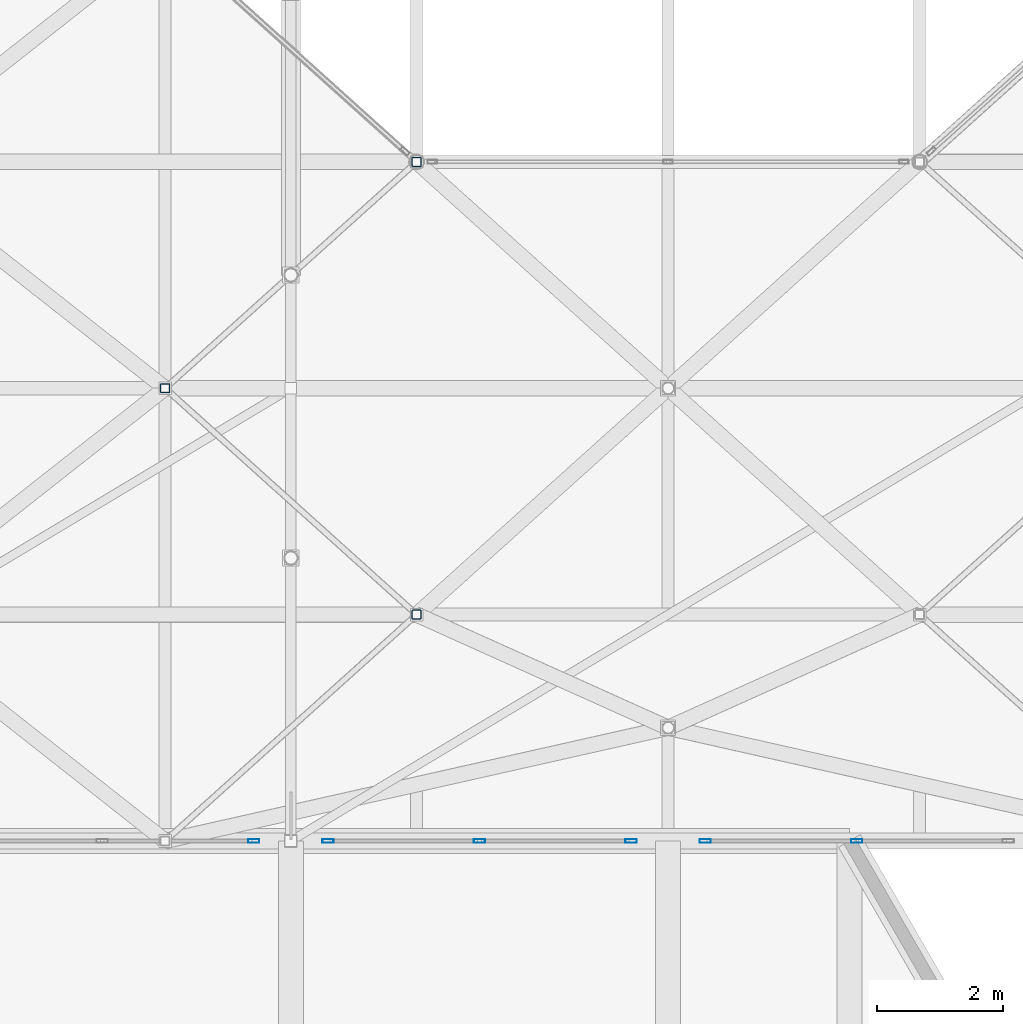
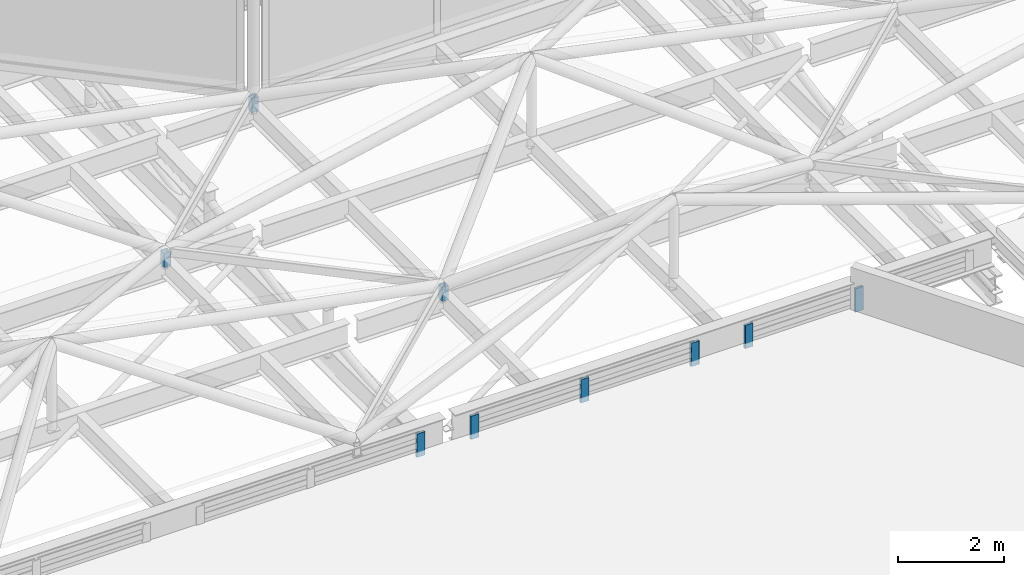
# One storey, part 190 of 239: 9 members, 3 elements without a shape of their own.
"""IFC4 building model written with IfcOpenShell, lengths in metres."""

import ifcopenshell
import ifcopenshell.guid

model = None  # the IFC model being written
_history = None  # IfcOwnerHistory: only IFC2X3 demands one
_inside = {}  # id of a spatial element -> (the spatial element, [elements in it])
_under = {}  # id of a project, library or spatial element -> (it, [spatial elements below it])
_declared = {}  # id of a project -> (the project, [libraries it declares])
_typed = {}  # id of a type object -> (the type object, [elements of that type])
_made_of = {}  # id of a material, layer set ... -> (it, [elements and type objects made of it])


def new_model(schema):
    """Start an empty IFC model of exactly this schema.

    Asked for "IFC4X3", IfcOpenShell would pick the latest addendum, in which some entities
    have other attributes; the version numbers below select the first issue.
    IFC2X3 requires an IfcOwnerHistory on every rooted entity: one is made here for all.
    """
    global model, _history
    if schema == "IFC4X3":
        model = ifcopenshell.file(schema_version=(4, 3, 0, 0))
    else:
        model = ifcopenshell.file(schema=schema)
    _inside.clear()
    _under.clear()
    _declared.clear()
    _typed.clear()
    _made_of.clear()
    _history = None
    if model.schema == "IFC2X3":
        org = make("IfcOrganization", Name="unknown")
        user = make(
            "IfcPersonAndOrganization",
            ThePerson=make("IfcPerson", FamilyName="unknown"),
            TheOrganization=org,
        )
        app = make(
            "IfcApplication",
            ApplicationDeveloper=org,
            Version="unknown",
            ApplicationFullName="unknown",
            ApplicationIdentifier="unknown",
        )
        _history = make(
            "IfcOwnerHistory",
            OwningUser=user,
            OwningApplication=app,
            ChangeAction="ADDED",
            CreationDate=0,
        )
    return model


def make(cls, **values):
    """One entity of the class cls with the attributes given. An attribute that is None is left unset."""
    return model.create_entity(
        cls, **{name: value for name, value in values.items() if value is not None}
    )


def rooted(cls, **values):
    """An entity with a GlobalId (a new one), such as an element, a storey or a relation."""
    return make(cls, GlobalId=ifcopenshell.guid.new(), OwnerHistory=_history, **values)


def si_unit(unit_type, name, prefix=None):
    """IfcSIUnit, for example si_unit("LENGTHUNIT", "METRE", prefix="MILLI")."""
    return make("IfcSIUnit", UnitType=unit_type, Prefix=prefix, Name=name)


def assignment(units):
    """IfcUnitAssignment: the units of a project."""
    return None if units is None else make("IfcUnitAssignment", Units=units)


def point(xyz):
    """IfcCartesianPoint."""
    return None if xyz is None else make("IfcCartesianPoint", Coordinates=xyz)


def direction(xyz):
    """IfcDirection."""
    return None if xyz is None else make("IfcDirection", DirectionRatios=xyz)


def frame(location, z_axis=None, x_axis=None):
    """IfcAxis2Placement3D, a coordinate frame: its origin and axes. An axis left out is left unset."""
    return make(
        "IfcAxis2Placement3D",
        Location=point(location),
        Axis=direction(z_axis),
        RefDirection=direction(x_axis),
    )


def frame_2d(location, x_axis=None):
    """IfcAxis2Placement2D, a coordinate frame in the plane: its origin and x axis."""
    return make(
        "IfcAxis2Placement2D", Location=point(location), RefDirection=direction(x_axis)
    )


def origin():
    """The frame at (0, 0, 0) with its axes left unset."""
    return frame((0.0, 0.0, 0.0))


def origin_2d():
    """The frame at (0, 0) in the plane with its x axis left unset."""
    return frame_2d((0.0, 0.0))


def place(relative_to, where):
    """IfcLocalPlacement: puts the frame where relative to a parent placement (None: the world)."""
    return make(
        "IfcLocalPlacement", PlacementRelTo=relative_to, RelativePlacement=where
    )


def context(
    kind, dimensions, precision=None, world=None, true_north=None, identifier=None
):
    """IfcGeometricRepresentationContext, for example the 3D "Model" context."""
    return make(
        "IfcGeometricRepresentationContext",
        ContextIdentifier=identifier,
        ContextType=kind,
        CoordinateSpaceDimension=dimensions,
        Precision=precision,
        WorldCoordinateSystem=world,
        TrueNorth=true_north,
    )


def subcontext(parent, identifier, kind, view, scale=None):
    """IfcGeometricRepresentationSubContext, for example "Body" below "Model"."""
    return make(
        "IfcGeometricRepresentationSubContext",
        ContextIdentifier=identifier,
        ContextType=kind,
        ParentContext=parent,
        TargetScale=scale,
        TargetView=view,
    )


def project(units=None, contexts=None):
    """IfcProject with its units and contexts."""
    return rooted(
        "IfcProject",
        Name="project",
        RepresentationContexts=contexts,
        UnitsInContext=assignment(units),
    )


def spatial(cls, under=None, at=None, **own):
    """A site, building, storey or space (cls), placed at a placement, below another one or the project."""
    s = rooted(cls, ObjectPlacement=at, **own)
    if under is not None:
        _under.setdefault(under.id(), (under, []))[1].append(s)
    return s


def profile(cls, at=None, kind="AREA", **sizes):
    """A parametric profile (cls). Its sizes go by their IFC names, for example OverallWidth=200.0."""
    return make(cls, ProfileType=kind, Position=at, **sizes)


def hollow_rectangle(**sizes):
    """IfcRectangleHollowProfileDef."""
    return profile("IfcRectangleHollowProfileDef", **sizes)


def extrude(swept, where, along, depth):
    """IfcExtrudedAreaSolid: the profile swept, set in the frame where, extruded along a direction by depth."""
    return make(
        "IfcExtrudedAreaSolid",
        SweptArea=swept,
        Position=where,
        ExtrudedDirection=direction(along),
        Depth=depth,
    )


def shape(context_of_items, identifier, shape_type, items):
    """IfcShapeRepresentation: the items that make up one representation, for example the "Body"."""
    return make(
        "IfcShapeRepresentation",
        ContextOfItems=context_of_items,
        RepresentationIdentifier=identifier,
        RepresentationType=shape_type,
        Items=items,
    )


def material(Name=None, Category=None):
    """IfcMaterial."""
    return make("IfcMaterial", Name=Name, Category=Category)


def layer(
    of_material, thickness, ventilated=None, Name=None, Category=None, Priority=None
):
    """IfcMaterialLayer: one layer of a wall or slab, of a material (None: an air gap)."""
    return make(
        "IfcMaterialLayer",
        Material=of_material,
        LayerThickness=thickness,
        IsVentilated=ventilated,
        Name=Name,
        Category=Category,
        Priority=Priority,
    )


def layer_set(layers, Name=None):
    """IfcMaterialLayerSet."""
    return make("IfcMaterialLayerSet", MaterialLayers=layers, LayerSetName=Name)


def material_profile(
    of_material, cross_section, Name=None, Category=None, Priority=None
):
    """IfcMaterialProfile: a cross section and its material."""
    return make(
        "IfcMaterialProfile",
        Name=Name,
        Material=of_material,
        Profile=cross_section,
        Priority=Priority,
        Category=Category,
    )


def profile_set(profiles, Name=None, composite=None):
    """IfcMaterialProfileSet."""
    return make(
        "IfcMaterialProfileSet",
        Name=Name,
        MaterialProfiles=profiles,
        CompositeProfile=composite,
    )


def made_of(thing, what):
    """Note that an element or type object is made of a material, layer set ...; save() writes the relation."""
    if what is not None:
        _made_of.setdefault(what.id(), (what, []))[1].append(thing)
    return thing


def type_object(cls, material=None, **own):
    """A type object (cls), such as IfcWallType, which elements share."""
    return made_of(rooted(cls, **own), material)


def element(
    cls,
    number,
    at=None,
    inside=None,
    cuts=None,
    type_object=None,
    material=None,
    context=None,
    identifier="Body",
    shape_type=None,
    held_by="IfcProductDefinitionShape",
    body=None,
    shapes=None,
    **own,
):
    """One element of the class cls, such as IfcWall. Its Tag is "e" and its number.

    at: its placement. inside: the storey or other place that contains it. cuts: it is an
    opening in that element (IfcRelVoidsElement). A single representation is given by context,
    identifier, shape_type and body (its items); several are given by shapes. held_by: the class
    of the entity that holds the representations. save() writes the other relations.
    """
    e = rooted(cls, Tag="e%d" % number, ObjectPlacement=at, **own)
    if body is not None:
        shapes = [shape(context, identifier, shape_type, body)]
    if shapes is not None:
        e.Representation = make(held_by, Representations=shapes)
    if inside is not None:
        _inside.setdefault(inside.id(), (inside, []))[1].append(e)
    if cuts is not None:
        rooted(
            "IfcRelVoidsElement", RelatingBuildingElement=cuts, RelatedOpeningElement=e
        )
    if type_object is not None:
        _typed.setdefault(type_object.id(), (type_object, []))[1].append(e)
    return made_of(e, material)


def aggregate(whole, parts):
    """IfcRelAggregates: a whole, such as a stair, and the parts it consists of."""
    return rooted("IfcRelAggregates", RelatingObject=whole, RelatedObjects=parts)


def save(model, path):
    """Write the relations noted so far, then the file.

    IfcRelAggregates (storeys below a building ...), IfcRelContainedInSpatialStructure (elements
    in a storey), IfcRelDefinesByType, IfcRelAssociatesMaterial and IfcRelDeclares: one each for
    every whole, place, type object, material and project.
    """
    for whole, parts in _under.values():
        aggregate(whole, parts)
    for where, things in _inside.values():
        rooted(
            "IfcRelContainedInSpatialStructure",
            RelatedElements=things,
            RelatingStructure=where,
        )
    for kind, things in _typed.values():
        rooted("IfcRelDefinesByType", RelatedObjects=things, RelatingType=kind)
    for what, things in _made_of.values():
        rooted("IfcRelAssociatesMaterial", RelatedObjects=things, RelatingMaterial=what)
    for by, libraries in _declared.values():
        rooted("IfcRelDeclares", RelatingContext=by, RelatedDefinitions=libraries)
    model.write(path)


model = new_model("IFC4")

# Units and contexts
model_context = context("Model", 3, precision=1e-05, world=origin(), true_north=direction((0.0, 1.0)))
body_context = subcontext(model_context, "Body", "Model", "MODEL_VIEW")
ifc_project = project(units=[si_unit("LENGTHUNIT", "METRE"), si_unit("AREAUNIT", "SQUARE_METRE"), si_unit("VOLUMEUNIT", "CUBIC_METRE"), si_unit("PLANEANGLEUNIT", "RADIAN"), si_unit("MASSUNIT", "GRAM", prefix="KILO")], contexts=[model_context])

# Site, building, storey
site_placement = place(None, origin())
site = spatial("IfcSite", under=ifc_project, at=site_placement, CompositionType="ELEMENT")
building_placement = place(site_placement, origin())
building = spatial("IfcBuilding", under=site, at=building_placement, Name="Dunvalen Ferry Terminal", CompositionType="ELEMENT")
storey_placement = place(building_placement, frame((0.0, 0.0, 9.840087890625)))
storey = spatial("IfcBuildingStorey", under=building, at=storey_placement, Name="L02", CompositionType="ELEMENT", Elevation=9.840087890625)

# Curtain wall, member
ifc_material_1 = material(Name="Anodised marine aluminium and solar-control glazing", Category="aluminium")
ifc_layer = layer(ifc_material_1, 0.219970703125, Name="Anodised marine aluminium and solar-control glazing")
ifc_layer_set = layer_set([ifc_layer], Name="Anodised marine aluminium and solar-control glazing")
curtain_wall_type = type_object("IfcCurtainWallType", Name="ENV-CW-SYS-02", PredefinedType="NOTDEFINED", material=ifc_layer_set)
curtain_wall_1_placement = place(storey_placement, origin())
curtain_wall_1 = element("IfcCurtainWall", 1, at=curtain_wall_1_placement, inside=storey, type_object=curtain_wall_type, Name="L02 Curtain Wall CW-V1SW-CLR-02", PredefinedType="NOTDEFINED")
ifc_material_2 = material(Name="Anodised marine aluminium EN AW-6063 T6", Category="aluminium")
ifc_material_profile_1 = material_profile(ifc_material_2, hollow_rectangle(XDim=0.06005859375, YDim=0.179931640625, WallThickness=0.00341796875, InnerFilletRadius=0.00341796875, OuterFilletRadius=0.007080078125, at=origin_2d()), Name="Anodised marine aluminium EN AW-6063 T6")
ifc_profile_set_1 = profile_set([ifc_material_profile_1], Name="Anodised marine aluminium EN AW-6063 T6")
member_type_1 = type_object("IfcMemberType", Name="ENV-CW-MUL-2", PredefinedType="MULLION", material=ifc_profile_set_1)
member_1_placement = place(storey_placement, frame((23.409912109375, 50.39990234375, 0.239990234375), z_axis=(0.0, 0.0, 1.0), x_axis=(0.0, 1.0, 0.0)))
member_1 = element("IfcMember", 2, at=member_1_placement, type_object=member_type_1, Name="CW-02 mullion 3", PredefinedType="MULLION", context=body_context, shape_type="SweptSolid", body=[
    extrude(hollow_rectangle(XDim=0.06005859375, YDim=0.179931640625, WallThickness=0.00341796875, InnerFilletRadius=0.00341796875, OuterFilletRadius=0.007080078125, at=origin_2d()), origin(), (0.0, 0.0, 1.0), 0.5400390625),
])
aggregate(curtain_wall_1, [member_1])

# Curtain wall, members
curtain_wall_2_placement = place(storey_placement, origin())
curtain_wall_2 = element("IfcCurtainWall", 3, at=curtain_wall_2_placement, inside=storey, type_object=curtain_wall_type, Name="L02 Curtain Wall CW-V1SW-CLR-03", PredefinedType="NOTDEFINED")
member_2_placement = place(storey_placement, frame((24.590087890625, 50.39990234375, 0.239990234375), z_axis=(0.0, 0.0, 1.0), x_axis=(0.0, 1.0, 0.0)))
member_2 = element("IfcMember", 4, at=member_2_placement, type_object=member_type_1, Name="CW-02 mullion 1", PredefinedType="MULLION", context=body_context, shape_type="SweptSolid", body=[
    extrude(hollow_rectangle(XDim=0.06005859375, YDim=0.179931640625, WallThickness=0.00341796875, InnerFilletRadius=0.00341796875, OuterFilletRadius=0.007080078125, at=origin_2d()), origin(), (0.0, 0.0, 1.0), 0.5400390625),
])
member_3_placement = place(storey_placement, frame((27.0, 50.39990234375, 0.239990234375), z_axis=(0.0, 0.0, 1.0), x_axis=(0.0, 1.0, 0.0)))
member_3 = element("IfcMember", 5, at=member_3_placement, type_object=member_type_1, Name="CW-02 mullion 2", PredefinedType="MULLION", context=body_context, shape_type="SweptSolid", body=[
    extrude(hollow_rectangle(XDim=0.06005859375, YDim=0.179931640625, WallThickness=0.00341796875, InnerFilletRadius=0.00341796875, OuterFilletRadius=0.007080078125, at=origin_2d()), origin(), (0.0, 0.0, 1.0), 0.5400390625),
])
member_4_placement = place(storey_placement, frame((29.409912109375, 50.39990234375, 0.239990234375), z_axis=(0.0, 0.0, 1.0), x_axis=(0.0, 1.0, 0.0)))
member_4 = element("IfcMember", 6, at=member_4_placement, type_object=member_type_1, Name="CW-02 mullion 3", PredefinedType="MULLION", context=body_context, shape_type="SweptSolid", body=[
    extrude(hollow_rectangle(XDim=0.06005859375, YDim=0.179931640625, WallThickness=0.00341796875, InnerFilletRadius=0.00341796875, OuterFilletRadius=0.007080078125, at=origin_2d()), origin(), (0.0, 0.0, 1.0), 0.5400390625),
])
aggregate(curtain_wall_2, [member_2, member_3, member_4])

curtain_wall_3_placement = place(storey_placement, origin())
curtain_wall_3 = element("IfcCurtainWall", 7, at=curtain_wall_3_placement, inside=storey, type_object=curtain_wall_type, Name="L02 Curtain Wall CW-V1SW-CLR-04", PredefinedType="NOTDEFINED")
member_5_placement = place(storey_placement, frame((30.590087890625, 50.39990234375, 0.239990234375), z_axis=(0.0, 0.0, 1.0), x_axis=(0.0, 1.0, 0.0)))
member_5 = element("IfcMember", 8, at=member_5_placement, type_object=member_type_1, Name="CW-02 mullion 1", PredefinedType="MULLION", context=body_context, shape_type="SweptSolid", body=[
    extrude(hollow_rectangle(XDim=0.06005859375, YDim=0.179931640625, WallThickness=0.00341796875, InnerFilletRadius=0.00341796875, OuterFilletRadius=0.007080078125, at=origin_2d()), origin(), (0.0, 0.0, 1.0), 0.5400390625),
])
member_6_placement = place(storey_placement, frame((33.0, 50.39990234375, 0.239990234375), z_axis=(0.0, 0.0, 1.0), x_axis=(0.0, 1.0, 0.0)))
member_6 = element("IfcMember", 9, at=member_6_placement, type_object=member_type_1, Name="CW-02 mullion 2", PredefinedType="MULLION", context=body_context, shape_type="SweptSolid", body=[
    extrude(hollow_rectangle(XDim=0.06005859375, YDim=0.179931640625, WallThickness=0.00341796875, InnerFilletRadius=0.00341796875, OuterFilletRadius=0.007080078125, at=origin_2d()), origin(), (0.0, 0.0, 1.0), 0.5400390625),
])
aggregate(curtain_wall_3, [member_5, member_6])

# Members
ifc_material_3 = material(Name="Steel S355", Category="steel")
ifc_material_profile_2 = material_profile(ifc_material_3, hollow_rectangle(XDim=0.14990234375, YDim=0.14990234375, WallThickness=0.008056640625, InnerFilletRadius=0.008056640625, OuterFilletRadius=0.01611328125, at=origin_2d()), Name="Steel S355")
ifc_profile_set_2 = profile_set([ifc_material_profile_2], Name="Steel S355")
member_type_2 = type_object("IfcMemberType", Name="STR-MB-SHS150", PredefinedType="BRACE", material=ifc_profile_set_2)
for number, where, z_axis, x_axis, name in (
    (10, (26.0, 54.0, 0.77001953125), (0.0, 0.0, 1.0), (1.0, 0.0, 0.0), "HEX-07 Rim Pedestal Strut 5"),
    (11, (22.0, 57.60009765625, 0.77001953125), (0.0, 0.0, 1.0), (1.0, 0.0, 0.0), "HEX-07 Rim Pedestal Strut 6"),
    (12, (26.0, 61.199951171875, 0.77001953125), (0.0, 0.0, 1.0), (1.0, 0.0, 0.0), "HEX-08 Rim Pedestal Strut 5"),
):
    element("IfcMember", number, at=place(storey_placement, frame(where, z_axis=z_axis, x_axis=x_axis)), inside=storey, type_object=member_type_2, Name=name, PredefinedType="BRACE", context=body_context, shape_type="SweptSolid", body=[
        extrude(hollow_rectangle(XDim=0.14990234375, YDim=0.14990234375, WallThickness=0.008056640625, InnerFilletRadius=0.008056640625, OuterFilletRadius=0.01611328125, at=origin_2d()), origin(), (0.0, 0.0, 1.0), 0.329833984375),
    ])

save(model, "model.ifc")
